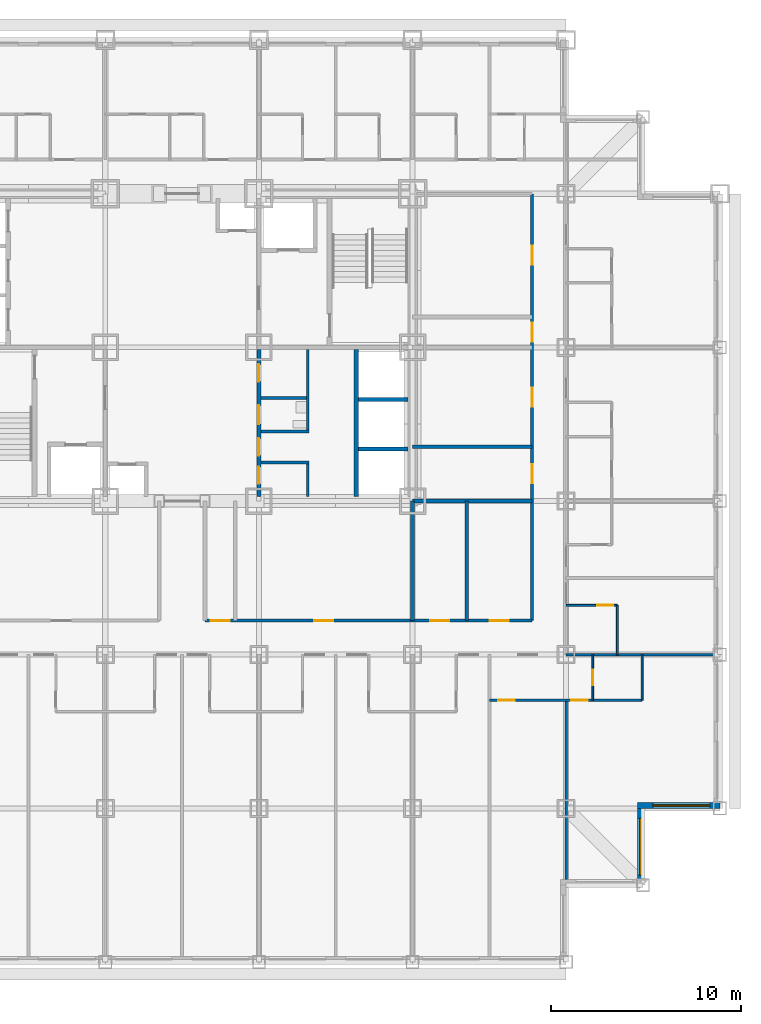
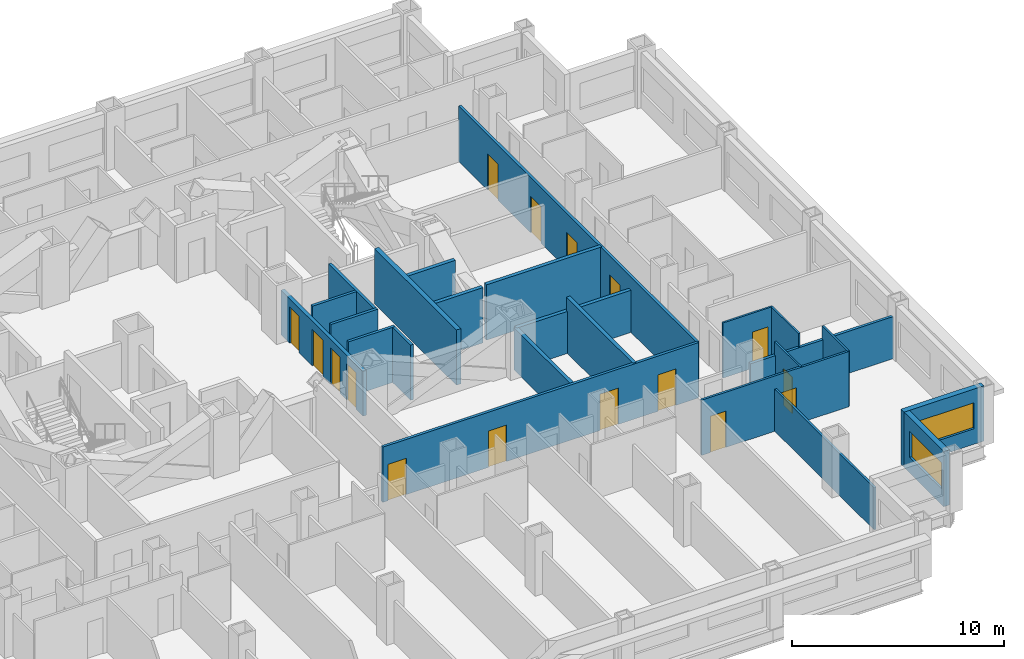
# One storey, part 6 of 12: 24 walls, 16 doors, 2 windows, 18 openings.
"""IFC4 building model written with IfcOpenShell, lengths in metres."""

from ifc_helpers import new_model, si_unit, direction, frame, frame_2d, origin, place, context, subcontext, project, spatial, rectangle, extrude, material, layer, layer_set, type_object, element, fill, save


model = new_model("IFC4")

# Units and contexts
model_context = context("Model", 3, precision=1e-05, world=origin(), true_north=direction((0.0, 1.0)))
body_context = subcontext(model_context, "Body", "Model", "MODEL_VIEW")
ifc_project = project(units=[si_unit("LENGTHUNIT", "METRE"), si_unit("AREAUNIT", "SQUARE_METRE"), si_unit("VOLUMEUNIT", "CUBIC_METRE"), si_unit("PLANEANGLEUNIT", "RADIAN"), si_unit("MASSUNIT", "GRAM", prefix="KILO")], contexts=[model_context])

# Site, building, storey
site_placement = place(None, origin())
site = spatial("IfcSite", under=ifc_project, at=site_placement, CompositionType="ELEMENT")
building_placement = place(site_placement, origin())
building = spatial("IfcBuilding", under=site, at=building_placement, Name="Kopane Lantern Tower", CompositionType="ELEMENT")
storey_placement = place(building_placement, frame((0.0, 0.0, 80.60009765625)))
storey = spatial("IfcBuildingStorey", under=building, at=storey_placement, Name="L20", CompositionType="ELEMENT", Elevation=80.60009765625)

# Wall, openings, doors
ifc_material_1 = material(Name="Gypsum board on steel studs", Category="steel")
ifc_layer_1 = layer(ifc_material_1, 0.1201171875)
ifc_layer_set_1 = layer_set([ifc_layer_1], Name="APARTMENT INTERNAL WALL 120")
wall_type_1 = type_object("IfcWallType", Name="APARTMENT INTERNAL WALL 120", PredefinedType="PARTITIONING", material=ifc_layer_set_1)
wall_1_placement = place(storey_placement, frame((44.550048828125, 13.800048828125, 0.0), z_axis=(0.0, 0.0, 1.0), x_axis=(1.0, 0.0, 0.0)))
wall_1 = element("IfcWall", 1, at=wall_1_placement, inside=storey, type_object=wall_type_1, Name="Apartment Internal Wall 120 L20", PredefinedType="PARTITIONING", context=body_context, shape_type="SweptSolid", body=[
    extrude(rectangle(XDim=8.050048828125, YDim=0.1201171875, at=frame_2d((4.02490234375, 0.0))), origin(), (0.0, 0.0, 1.0), 3.18994140625),
])
opening_1_placement = place(wall_1_placement, frame((0.47509765625, 0.0, 0.0)))
opening_1 = element("IfcOpeningElement", 2, at=opening_1_placement, cuts=wall_1, Name="Opening L20-064", PredefinedType="OPENING", context=body_context, shape_type="SweptSolid", body=[
    extrude(rectangle(XDim=0.85009765625, YDim=2.10009765625, at=frame_2d((0.425048828125, 1.050048828125))), frame((0.0, 0.070068359375, 0.0), z_axis=(0.0, -1.0, 0.0), x_axis=(1.0, 0.0, 0.0)), (0.0, 0.0, 1.0), 0.14013671875),
])
opening_2_placement = place(wall_1_placement, frame((4.324951171875, 0.0, 0.0)))
opening_2 = element("IfcOpeningElement", 3, at=opening_2_placement, cuts=wall_1, Name="Opening L20-066", PredefinedType="OPENING", context=body_context, shape_type="SweptSolid", body=[
    extrude(rectangle(XDim=0.85009765625, YDim=2.10009765625, at=frame_2d((0.425048828125, 1.050048828125))), frame((0.0, 0.070068359375, 0.0), z_axis=(0.0, -1.0, 0.0), x_axis=(1.0, 0.0, 0.0)), (0.0, 0.0, 1.0), 0.14013671875),
])
ifc_material_2 = material(Name="Timber door set", Category="wood")
door_type_1 = type_object("IfcDoorType", Name="DOOR D4 850x2100", OperationType="SINGLE_SWING_LEFT", PredefinedType="DOOR", material=ifc_material_2)
door_1_placement = place(opening_1_placement, origin())
door_1 = element("IfcDoor", 4, at=door_1_placement, inside=storey, type_object=door_type_1, Name="Door L20-064", OperationType="SINGLE_SWING_LEFT", OverallHeight=2.10009765625, OverallWidth=0.85009765625, PredefinedType="DOOR", context=body_context, shape_type="SweptSolid", body=[
    extrude(rectangle(XDim=0.85009765625, YDim=2.10009765625, at=frame_2d((0.425048828125, 1.050048828125))), frame((0.0, 0.02490234375, 0.0), z_axis=(0.0, -1.0, 0.0), x_axis=(1.0, 0.0, 0.0)), (0.0, 0.0, 1.0), 0.050048828125),
])
fill(opening_1, door_1)
door_2_placement = place(opening_2_placement, origin())
door_2 = element("IfcDoor", 5, at=door_2_placement, inside=storey, type_object=door_type_1, Name="Door L20-066", OperationType="SINGLE_SWING_RIGHT", OverallHeight=2.10009765625, OverallWidth=0.85009765625, PredefinedType="DOOR", context=body_context, shape_type="SweptSolid", body=[
    extrude(rectangle(XDim=0.85009765625, YDim=2.10009765625, at=frame_2d((0.425048828125, 1.050048828125))), frame((0.0, 0.02490234375, 0.0), z_axis=(0.0, -1.0, 0.0), x_axis=(1.0, 0.0, 0.0)), (0.0, 0.0, 1.0), 0.050048828125),
])
fill(opening_2, door_2)

# Walls
wall_2_placement = place(storey_placement, frame((48.60009765625, 13.800048828125, 0.0), z_axis=(0.0, 0.0, 1.0), x_axis=(0.0, -1.0, 0.0)))
element("IfcWall", 6, at=wall_2_placement, inside=storey, type_object=wall_type_1, Name="Apartment Internal Wall 120 L20", PredefinedType="PARTITIONING", context=body_context, shape_type="SweptSolid", body=[
    extrude(rectangle(XDim=9.449951171875, YDim=0.1201171875, at=frame_2d((4.72509765625, 0.0))), origin(), (0.0, 0.0, 1.0), 2.427734375),
])
ifc_material_3 = material(Name="Moisture-resistant board on steel studs", Category="steel")
ifc_layer_2 = layer(ifc_material_3, 0.10009765625)
ifc_layer_set_2 = layer_set([ifc_layer_2], Name="BATHROOM WALL 100")
wall_type_2 = type_object("IfcWallType", Name="BATHROOM WALL 100", PredefinedType="PARTITIONING", material=ifc_layer_set_2)
wall_3_placement = place(storey_placement, frame((51.300048828125, 16.199951171875, 0.0), z_axis=(0.0, 0.0, 1.0), x_axis=(0.0, 1.0, 0.0)))
element("IfcWall", 7, at=wall_3_placement, inside=storey, type_object=wall_type_2, Name="Bathroom Wall 100 L20", PredefinedType="PARTITIONING", context=body_context, shape_type="SweptSolid", body=[
    extrude(rectangle(XDim=2.60009765625, YDim=0.10009765625, at=frame_2d((1.300048828125, 0.0))), origin(), (0.0, 0.0, 1.0), 3.18994140625),
])

# Wall, opening, door
wall_4_placement = place(storey_placement, frame((48.60009765625, 18.800048828125, 0.0), z_axis=(0.0, 0.0, 1.0), x_axis=(1.0, 0.0, 0.0)))
wall_4 = element("IfcWall", 8, at=wall_4_placement, inside=storey, type_object=wall_type_2, Name="Bathroom Wall 100 L20", PredefinedType="PARTITIONING", context=body_context, shape_type="SweptSolid", body=[
    extrude(rectangle(XDim=2.699951171875, YDim=0.10009765625, at=frame_2d((1.35009765625, 0.0))), origin(), (0.0, 0.0, 1.0), 3.18994140625),
])
opening_3_placement = place(wall_4_placement, frame((1.625, 0.0, 0.0)))
opening_3 = element("IfcOpeningElement", 9, at=opening_3_placement, cuts=wall_4, Name="Opening L20-049", PredefinedType="OPENING", context=body_context, shape_type="SweptSolid", body=[
    extrude(rectangle(XDim=0.85009765625, YDim=2.10009765625, at=frame_2d((0.425048828125, 1.050048828125))), frame((0.0, 0.06005859375, 0.0), z_axis=(0.0, -1.0, 0.0), x_axis=(1.0, 0.0, 0.0)), (0.0, 0.0, 1.0), 0.1201171875),
])
door_3_placement = place(opening_3_placement, origin())
door_3 = element("IfcDoor", 10, at=door_3_placement, inside=storey, type_object=door_type_1, Name="Door L20-049", OperationType="SINGLE_SWING_LEFT", OverallHeight=2.10009765625, OverallWidth=0.85009765625, PredefinedType="DOOR", context=body_context, shape_type="SweptSolid", body=[
    extrude(rectangle(XDim=0.85009765625, YDim=2.10009765625, at=frame_2d((0.425048828125, 1.050048828125))), frame((0.0, 0.02490234375, 0.0), z_axis=(0.0, -1.0, 0.0), x_axis=(1.0, 0.0, 0.0)), (0.0, 0.0, 1.0), 0.050048828125),
])
fill(opening_3, door_3)

wall_5_placement = place(storey_placement, frame((50.0, 16.199951171875, 0.0), z_axis=(0.0, 0.0, 1.0), x_axis=(0.0, -1.0, 0.0)))
wall_5 = element("IfcWall", 11, at=wall_5_placement, inside=storey, type_object=wall_type_2, Name="Bathroom Wall 100 L20", PredefinedType="PARTITIONING", context=body_context, shape_type="SweptSolid", body=[
    extrude(rectangle(XDim=2.39990234375, YDim=0.10009765625, at=frame_2d((1.199951171875, 0.0))), origin(), (0.0, 0.0, 1.0), 3.18994140625),
])
opening_4_placement = place(wall_5_placement, frame((0.800048828125, 0.0, 0.0)))
opening_4 = element("IfcOpeningElement", 12, at=opening_4_placement, cuts=wall_5, Name="Opening L20-065", PredefinedType="OPENING", context=body_context, shape_type="SweptSolid", body=[
    extrude(rectangle(XDim=0.800048828125, YDim=2.10009765625, at=frame_2d((0.39990234375, 1.050048828125))), frame((0.0, 0.06005859375, 0.0), z_axis=(0.0, -1.0, 0.0), x_axis=(1.0, 0.0, 0.0)), (0.0, 0.0, 1.0), 0.1201171875),
])
ifc_material_4 = material(Name="Timber door set", Category="wood")
door_type_2 = type_object("IfcDoorType", Name="DOOR D2 800x2100", OperationType="SINGLE_SWING_LEFT", PredefinedType="DOOR", material=ifc_material_4)
door_4_placement = place(opening_4_placement, origin())
door_4 = element("IfcDoor", 13, at=door_4_placement, inside=storey, type_object=door_type_2, Name="Door L20-065", OperationType="SINGLE_SWING_LEFT", OverallHeight=2.10009765625, OverallWidth=0.800048828125, PredefinedType="DOOR", context=body_context, shape_type="SweptSolid", body=[
    extrude(rectangle(XDim=0.800048828125, YDim=2.10009765625, at=frame_2d((0.39990234375, 1.050048828125))), frame((0.0, 0.02490234375, 0.0), z_axis=(0.0, -1.0, 0.0), x_axis=(1.0, 0.0, 0.0)), (0.0, 0.0, 1.0), 0.050048828125),
])
fill(opening_4, door_4)

# Walls
wall_6_placement = place(storey_placement, frame((52.60009765625, 16.199951171875, 0.0), z_axis=(0.0, 0.0, 1.0), x_axis=(0.0, -1.0, 0.0)))
element("IfcWall", 14, at=wall_6_placement, inside=storey, type_object=wall_type_2, Name="Bathroom Wall 100 L20", PredefinedType="PARTITIONING", context=body_context, shape_type="SweptSolid", body=[
    extrude(rectangle(XDim=2.39990234375, YDim=0.10009765625, at=frame_2d((1.199951171875, 0.0))), origin(), (0.0, 0.0, 1.0), 3.18994140625),
])
ifc_material_5 = material(Name="Gypsum partition EI 60", Category="gypsum")
ifc_layer_3 = layer(ifc_material_5, 0.14990234375)
ifc_layer_set_3 = layer_set([ifc_layer_3], Name="CORE ROOM PARTITION 150 EI 60")
wall_type_3 = type_object("IfcWallType", Name="CORE ROOM PARTITION 150 EI 60", PredefinedType="PARTITIONING", material=ifc_layer_set_3)
for number, where, z_axis, x_axis, name in (
    (15, (32.5, 26.324951171875, 0.0), (0.0, 0.0, 1.0), (1.0, 0.0, 0.0), "Core room partition L20 E1"),
    (16, (32.5, 27.97509765625, 0.0), (0.0, 0.0, 1.0), (1.0, 0.0, 0.0), "Core room partition L20 E2"),
):
    element("IfcWall", number, at=place(storey_placement, frame(where, z_axis=z_axis, x_axis=x_axis)), inside=storey, type_object=wall_type_3, Name=name, PredefinedType="PARTITIONING", context=body_context, shape_type="SweptSolid", body=[
        extrude(rectangle(XDim=2.550048828125, YDim=0.14990234375, at=frame_2d((1.27490234375, 0.0))), origin(), (0.0, 0.0, 1.0), 3.18994140625),
    ])
wall_7_placement = place(storey_placement, frame((32.5, 29.72509765625, 0.0), z_axis=(0.0, 0.0, 1.0), x_axis=(1.0, 0.0, 0.0)))
element("IfcWall", 17, at=wall_7_placement, inside=storey, type_object=wall_type_3, Name="Core room partition L20 E3", PredefinedType="PARTITIONING", context=body_context, shape_type="SweptSolid", body=[
    extrude(rectangle(XDim=2.39990234375, YDim=0.14990234375, at=frame_2d((1.199951171875, 0.0))), origin(), (0.0, 0.0, 1.0), 3.18994140625),
])
wall_8_placement = place(storey_placement, frame((34.97509765625, 24.550048828125, 0.0), z_axis=(0.0, 0.0, 1.0), x_axis=(0.0, 1.0, 0.0)))
element("IfcWall", 18, at=wall_8_placement, inside=storey, type_object=wall_type_3, Name="Core room partition L20 EB0", PredefinedType="PARTITIONING", context=body_context, shape_type="SweptSolid", body=[
    extrude(rectangle(XDim=1.699951171875, YDim=0.14990234375, at=frame_2d((0.85009765625, 0.0))), origin(), (0.0, 0.0, 1.0), 3.18994140625),
])
wall_9_placement = place(storey_placement, frame((34.97509765625, 28.050048828125, 0.0), z_axis=(0.0, 0.0, 1.0), x_axis=(0.0, 1.0, 0.0)))
element("IfcWall", 19, at=wall_9_placement, inside=storey, type_object=wall_type_3, Name="Core room partition L20 EB1", PredefinedType="PARTITIONING", context=body_context, shape_type="SweptSolid", body=[
    extrude(rectangle(XDim=4.25, YDim=0.14990234375, at=frame_2d((2.125, 0.0))), origin(), (0.0, 0.0, 1.0), 3.18994140625),
])

# Wall, openings, doors
ifc_material_6 = material(Name="Gypsum partition EI 60", Category="gypsum")
ifc_layer_4 = layer(ifc_material_6, 0.199951171875)
ifc_layer_set_4 = layer_set([ifc_layer_4], Name="CORE ROOM WALL 200 EI 60")
wall_type_4 = type_object("IfcWallType", Name="CORE ROOM WALL 200 EI 60", PredefinedType="PARTITIONING", material=ifc_layer_set_4)
wall_10_placement = place(storey_placement, frame((32.39990234375, 24.550048828125, 0.0), z_axis=(0.0, 0.0, 1.0), x_axis=(0.0, 1.0, 0.0)))
wall_10 = element("IfcWall", 20, at=wall_10_placement, inside=storey, type_object=wall_type_4, Name="Core room wall L20 XE", PredefinedType="PARTITIONING", context=body_context, shape_type="SweptSolid", body=[
    extrude(rectangle(XDim=7.75, YDim=0.199951171875, at=frame_2d((3.875, 0.0))), origin(), (0.0, 0.0, 1.0), 2.57763671875),
])
opening_5_placement = place(wall_10_placement, frame((0.64990234375, 0.0, 0.0)))
opening_5 = element("IfcOpeningElement", 21, at=opening_5_placement, cuts=wall_10, Name="Opening 20.C20", PredefinedType="OPENING", context=body_context, shape_type="SweptSolid", body=[
    extrude(rectangle(XDim=0.89990234375, YDim=2.10009765625, at=frame_2d((0.449951171875, 1.050048828125))), frame((0.0, 0.10986328125, 0.0), z_axis=(0.0, -1.0, 0.0), x_axis=(1.0, 0.0, 0.0)), (0.0, 0.0, 1.0), 0.219970703125),
])
opening_6_placement = place(wall_10_placement, frame((2.14990234375, 0.0, 0.0)))
opening_6 = element("IfcOpeningElement", 22, at=opening_6_placement, cuts=wall_10, Name="Opening 20.C21", PredefinedType="OPENING", context=body_context, shape_type="SweptSolid", body=[
    extrude(rectangle(XDim=0.89990234375, YDim=2.10009765625, at=frame_2d((0.449951171875, 1.050048828125))), frame((0.0, 0.10986328125, 0.0), z_axis=(0.0, -1.0, 0.0), x_axis=(1.0, 0.0, 0.0)), (0.0, 0.0, 1.0), 0.219970703125),
])
opening_7_placement = place(wall_10_placement, frame((3.800048828125, 0.0, 0.0)))
opening_7 = element("IfcOpeningElement", 23, at=opening_7_placement, cuts=wall_10, Name="Opening 20.C22", PredefinedType="OPENING", context=body_context, shape_type="SweptSolid", body=[
    extrude(rectangle(XDim=1.0, YDim=2.10009765625, at=frame_2d((0.5, 1.050048828125))), frame((0.0, 0.10986328125, 0.0), z_axis=(0.0, -1.0, 0.0), x_axis=(1.0, 0.0, 0.0)), (0.0, 0.0, 1.0), 0.219970703125),
])
opening_8_placement = place(wall_10_placement, frame((6.050048828125, 0.0, 0.0)))
opening_8 = element("IfcOpeningElement", 24, at=opening_8_placement, cuts=wall_10, Name="Opening 20.C23", PredefinedType="OPENING", context=body_context, shape_type="SweptSolid", body=[
    extrude(rectangle(XDim=0.89990234375, YDim=2.10009765625, at=frame_2d((0.449951171875, 1.050048828125))), frame((0.0, 0.10986328125, 0.0), z_axis=(0.0, -1.0, 0.0), x_axis=(1.0, 0.0, 0.0)), (0.0, 0.0, 1.0), 0.219970703125),
])
ifc_material_7 = material(Name="Steel door set", Category="steel")
door_type_3 = type_object("IfcDoorType", Name="CORE ROOM DOOR 1000x2100 FD30S", OperationType="SINGLE_SWING_RIGHT", PredefinedType="DOOR", material=ifc_material_7)
door_5_placement = place(opening_7_placement, origin())
door_5 = element("IfcDoor", 25, at=door_5_placement, inside=storey, type_object=door_type_3, Name="Door Staff WC L20", OperationType="SINGLE_SWING_RIGHT", OverallHeight=2.10009765625, OverallWidth=1.0, PredefinedType="DOOR", context=body_context, shape_type="SweptSolid", body=[
    extrude(rectangle(XDim=1.0, YDim=2.10009765625, at=frame_2d((0.5, 1.050048828125))), frame((0.0, 0.02490234375, 0.0), z_axis=(0.0, -1.0, 0.0), x_axis=(1.0, 0.0, 0.0)), (0.0, 0.0, 1.0), 0.050048828125),
])
fill(opening_7, door_5)
ifc_material_8 = material(Name="Steel door set", Category="steel")
door_type_4 = type_object("IfcDoorType", Name="CORE ROOM DOOR 900x2100 FD60", OperationType="SINGLE_SWING_LEFT", PredefinedType="DOOR", material=ifc_material_8)
door_6_placement = place(opening_5_placement, origin())
door_6 = element("IfcDoor", 26, at=door_6_placement, inside=storey, type_object=door_type_4, Name="Door Cleaner store L20", OperationType="SINGLE_SWING_LEFT", OverallHeight=2.10009765625, OverallWidth=0.89990234375, PredefinedType="DOOR", context=body_context, shape_type="SweptSolid", body=[
    extrude(rectangle(XDim=0.89990234375, YDim=2.10009765625, at=frame_2d((0.449951171875, 1.050048828125))), frame((0.0, 0.02490234375, 0.0), z_axis=(0.0, -1.0, 0.0), x_axis=(1.0, 0.0, 0.0)), (0.0, 0.0, 1.0), 0.050048828125),
])
fill(opening_5, door_6)
door_7_placement = place(opening_6_placement, origin())
door_7 = element("IfcDoor", 27, at=door_7_placement, inside=storey, type_object=door_type_4, Name="Door Housekeeping store L20", OperationType="SINGLE_SWING_LEFT", OverallHeight=2.10009765625, OverallWidth=0.89990234375, PredefinedType="DOOR", context=body_context, shape_type="SweptSolid", body=[
    extrude(rectangle(XDim=0.89990234375, YDim=2.10009765625, at=frame_2d((0.449951171875, 1.050048828125))), frame((0.0, 0.02490234375, 0.0), z_axis=(0.0, -1.0, 0.0), x_axis=(1.0, 0.0, 0.0)), (0.0, 0.0, 1.0), 0.050048828125),
])
fill(opening_6, door_7)
door_8_placement = place(opening_8_placement, origin())
door_8 = element("IfcDoor", 28, at=door_8_placement, inside=storey, type_object=door_type_4, Name="Door IT room L20", OperationType="SINGLE_SWING_LEFT", OverallHeight=2.10009765625, OverallWidth=0.89990234375, PredefinedType="DOOR", context=body_context, shape_type="SweptSolid", body=[
    extrude(rectangle(XDim=0.89990234375, YDim=2.10009765625, at=frame_2d((0.449951171875, 1.050048828125))), frame((0.0, 0.02490234375, 0.0), z_axis=(0.0, -1.0, 0.0), x_axis=(1.0, 0.0, 0.0)), (0.0, 0.0, 1.0), 0.050048828125),
])
fill(opening_8, door_8)

# Wall
ifc_material_9 = material(Name="Gypsum shaft wall EI 120", Category="gypsum")
ifc_layer_5 = layer(ifc_material_9, 0.25)
ifc_layer_set_5 = layer_set([ifc_layer_5], Name="CORE SHAFT WALL 250 EI 120")
wall_type_5 = type_object("IfcWallType", Name="CORE SHAFT WALL 250 EI 120", PredefinedType="SOLIDWALL", material=ifc_layer_set_5)
wall_11_placement = place(storey_placement, frame((37.52490234375, 24.550048828125, 0.0), z_axis=(0.0, 0.0, 1.0), x_axis=(0.0, 1.0, 0.0)))
element("IfcWall", 29, at=wall_11_placement, inside=storey, type_object=wall_type_5, Name="Core shaft wall L20 XLR", PredefinedType="SOLIDWALL", context=body_context, shape_type="SweptSolid", body=[
    extrude(rectangle(XDim=7.75, YDim=0.25, at=frame_2d((3.875, 0.0))), origin(), (0.0, 0.0, 1.0), 3.18994140625),
])

# Wall, openings, doors
ifc_material_10 = material(Name="Gypsum board on steel studs", Category="steel")
ifc_layer_6 = layer(ifc_material_10, 0.14990234375)
ifc_layer_set_6 = layer_set([ifc_layer_6], Name="CORRIDOR WALL 150 EI 60")
wall_type_6 = type_object("IfcWallType", Name="CORRIDOR WALL 150 EI 60", PredefinedType="PARTITIONING", material=ifc_layer_set_6)
wall_12_placement = place(storey_placement, frame((46.800048828125, 18.0, 0.0), z_axis=(0.0, 0.0, 1.0), x_axis=(0.0, 1.0, 0.0)))
wall_12 = element("IfcWall", 30, at=wall_12_placement, inside=storey, type_object=wall_type_6, Name="Corridor Wall 150 Ei 60 L20", PredefinedType="PARTITIONING", context=body_context, shape_type="SweptSolid", body=[
    extrude(rectangle(XDim=22.5, YDim=0.14990234375, at=frame_2d((11.25, 0.0))), origin(), (0.0, 0.0, 1.0), 3.18994140625),
])
opening_9_placement = place(wall_12_placement, frame((7.228515625, 0.0, 0.0)))
opening_9 = element("IfcOpeningElement", 31, at=opening_9_placement, cuts=wall_12, Name="Opening L20-003", PredefinedType="OPENING", context=body_context, shape_type="SweptSolid", body=[
    extrude(rectangle(XDim=1.0, YDim=2.10009765625, at=frame_2d((0.5, 1.050048828125))), frame((0.0, 0.0849609375, 0.0), z_axis=(0.0, -1.0, 0.0), x_axis=(1.0, 0.0, 0.0)), (0.0, 0.0, 1.0), 0.169921875),
])
opening_10_placement = place(wall_12_placement, frame((11.278564453125, 0.0, 0.0)))
opening_10 = element("IfcOpeningElement", 32, at=opening_10_placement, cuts=wall_12, Name="Opening L20-004", PredefinedType="OPENING", context=body_context, shape_type="SweptSolid", body=[
    extrude(rectangle(XDim=1.0, YDim=2.10009765625, at=frame_2d((0.5, 1.050048828125))), frame((0.0, 0.0849609375, 0.0), z_axis=(0.0, -1.0, 0.0), x_axis=(1.0, 0.0, 0.0)), (0.0, 0.0, 1.0), 0.169921875),
])
opening_11_placement = place(wall_12_placement, frame((14.699951171875, 0.0, 0.0)))
opening_11 = element("IfcOpeningElement", 33, at=opening_11_placement, cuts=wall_12, Name="Opening L20-005", PredefinedType="OPENING", context=body_context, shape_type="SweptSolid", body=[
    extrude(rectangle(XDim=1.0, YDim=2.10009765625, at=frame_2d((0.5, 1.050048828125))), frame((0.0, 0.0849609375, 0.0), z_axis=(0.0, -1.0, 0.0), x_axis=(1.0, 0.0, 0.0)), (0.0, 0.0, 1.0), 0.169921875),
])
opening_12_placement = place(wall_12_placement, frame((18.75, 0.0, 0.0)))
opening_12 = element("IfcOpeningElement", 34, at=opening_12_placement, cuts=wall_12, Name="Opening L20-006", PredefinedType="OPENING", context=body_context, shape_type="SweptSolid", body=[
    extrude(rectangle(XDim=1.0, YDim=2.10009765625, at=frame_2d((0.5, 1.050048828125))), frame((0.0, 0.0849609375, 0.0), z_axis=(0.0, -1.0, 0.0), x_axis=(1.0, 0.0, 0.0)), (0.0, 0.0, 1.0), 0.169921875),
])
ifc_material_11 = material(Name="Steel door set", Category="steel")
door_type_5 = type_object("IfcDoorType", Name="DOOR D5 1000x2100 FD60", OperationType="SINGLE_SWING_LEFT", PredefinedType="DOOR", material=ifc_material_11)
door_9_placement = place(opening_9_placement, origin())
door_9 = element("IfcDoor", 35, at=door_9_placement, inside=storey, type_object=door_type_5, Name="Door L20-003", OperationType="SINGLE_SWING_LEFT", OverallHeight=2.10009765625, OverallWidth=1.0, PredefinedType="DOOR", context=body_context, shape_type="SweptSolid", body=[
    extrude(rectangle(XDim=1.0, YDim=2.10009765625, at=frame_2d((0.5, 1.050048828125))), frame((0.0, 0.02490234375, 0.0), z_axis=(0.0, -1.0, 0.0), x_axis=(1.0, 0.0, 0.0)), (0.0, 0.0, 1.0), 0.050048828125),
])
fill(opening_9, door_9)
door_10_placement = place(opening_10_placement, origin())
door_10 = element("IfcDoor", 36, at=door_10_placement, inside=storey, type_object=door_type_5, Name="Door L20-004", OperationType="SINGLE_SWING_RIGHT", OverallHeight=2.10009765625, OverallWidth=1.0, PredefinedType="DOOR", context=body_context, shape_type="SweptSolid", body=[
    extrude(rectangle(XDim=1.0, YDim=2.10009765625, at=frame_2d((0.5, 1.050048828125))), frame((0.0, 0.02490234375, 0.0), z_axis=(0.0, -1.0, 0.0), x_axis=(1.0, 0.0, 0.0)), (0.0, 0.0, 1.0), 0.050048828125),
])
fill(opening_10, door_10)
door_11_placement = place(opening_11_placement, origin())
door_11 = element("IfcDoor", 37, at=door_11_placement, inside=storey, type_object=door_type_5, Name="Door L20-005", OperationType="SINGLE_SWING_LEFT", OverallHeight=2.10009765625, OverallWidth=1.0, PredefinedType="DOOR", context=body_context, shape_type="SweptSolid", body=[
    extrude(rectangle(XDim=1.0, YDim=2.10009765625, at=frame_2d((0.5, 1.050048828125))), frame((0.0, 0.02490234375, 0.0), z_axis=(0.0, -1.0, 0.0), x_axis=(1.0, 0.0, 0.0)), (0.0, 0.0, 1.0), 0.050048828125),
])
fill(opening_11, door_11)
door_12_placement = place(opening_12_placement, origin())
door_12 = element("IfcDoor", 38, at=door_12_placement, inside=storey, type_object=door_type_5, Name="Door L20-006", OperationType="SINGLE_SWING_RIGHT", OverallHeight=2.10009765625, OverallWidth=1.0, PredefinedType="DOOR", context=body_context, shape_type="SweptSolid", body=[
    extrude(rectangle(XDim=1.0, YDim=2.10009765625, at=frame_2d((0.5, 1.050048828125))), frame((0.0, 0.02490234375, 0.0), z_axis=(0.0, -1.0, 0.0), x_axis=(1.0, 0.0, 0.0)), (0.0, 0.0, 1.0), 0.050048828125),
])
fill(opening_12, door_12)

wall_13_placement = place(storey_placement, frame((29.56005859375, 18.0, 0.0), z_axis=(0.0, 0.0, 1.0), x_axis=(1.0, 0.0, 0.0)))
wall_13 = element("IfcWall", 39, at=wall_13_placement, inside=storey, type_object=wall_type_6, Name="Corridor Wall 150 Ei 60 L20", PredefinedType="PARTITIONING", context=body_context, shape_type="SweptSolid", body=[
    extrude(rectangle(XDim=17.239990234375, YDim=0.14990234375, at=frame_2d((8.6201171875, 0.0))), origin(), (0.0, 0.0, 1.0), 3.18994140625),
])
opening_13_placement = place(wall_13_placement, frame((0.2900390625, 0.0, 0.0)))
opening_13 = element("IfcOpeningElement", 40, at=opening_13_placement, cuts=wall_13, Name="Opening L20-009", PredefinedType="OPENING", context=body_context, shape_type="SweptSolid", body=[
    extrude(rectangle(XDim=1.0, YDim=2.10009765625, at=frame_2d((0.5, 1.050048828125))), frame((0.0, 0.0849609375, 0.0), z_axis=(0.0, -1.0, 0.0), x_axis=(1.0, 0.0, 0.0)), (0.0, 0.0, 1.0), 0.169921875),
])
opening_14_placement = place(wall_13_placement, frame((5.764892578125, 0.0, 0.0)))
opening_14 = element("IfcOpeningElement", 41, at=opening_14_placement, cuts=wall_13, Name="Opening L20-010", PredefinedType="OPENING", context=body_context, shape_type="SweptSolid", body=[
    extrude(rectangle(XDim=1.0, YDim=2.10009765625, at=frame_2d((0.5, 1.050048828125))), frame((0.0, 0.0849609375, 0.0), z_axis=(0.0, -1.0, 0.0), x_axis=(1.0, 0.0, 0.0)), (0.0, 0.0, 1.0), 0.169921875),
])
opening_15_placement = place(wall_13_placement, frame((11.86865234375, 0.0, 0.0)))
opening_15 = element("IfcOpeningElement", 42, at=opening_15_placement, cuts=wall_13, Name="Opening L20-011", PredefinedType="OPENING", context=body_context, shape_type="SweptSolid", body=[
    extrude(rectangle(XDim=1.0, YDim=2.10009765625, at=frame_2d((0.5, 1.050048828125))), frame((0.0, 0.0849609375, 0.0), z_axis=(0.0, -1.0, 0.0), x_axis=(1.0, 0.0, 0.0)), (0.0, 0.0, 1.0), 0.169921875),
])
opening_16_placement = place(wall_13_placement, frame((15.0185546875, 0.0, 0.0)))
opening_16 = element("IfcOpeningElement", 43, at=opening_16_placement, cuts=wall_13, Name="Opening L20-012", PredefinedType="OPENING", context=body_context, shape_type="SweptSolid", body=[
    extrude(rectangle(XDim=1.0, YDim=2.10009765625, at=frame_2d((0.5, 1.050048828125))), frame((0.0, 0.0849609375, 0.0), z_axis=(0.0, -1.0, 0.0), x_axis=(1.0, 0.0, 0.0)), (0.0, 0.0, 1.0), 0.169921875),
])
door_13_placement = place(opening_13_placement, origin())
door_13 = element("IfcDoor", 44, at=door_13_placement, inside=storey, type_object=door_type_5, Name="Door L20-009", OperationType="SINGLE_SWING_LEFT", OverallHeight=2.10009765625, OverallWidth=1.0, PredefinedType="DOOR", context=body_context, shape_type="SweptSolid", body=[
    extrude(rectangle(XDim=1.0, YDim=2.10009765625, at=frame_2d((0.5, 1.050048828125))), frame((0.0, 0.02490234375, 0.0), z_axis=(0.0, -1.0, 0.0), x_axis=(1.0, 0.0, 0.0)), (0.0, 0.0, 1.0), 0.050048828125),
])
fill(opening_13, door_13)
door_14_placement = place(opening_14_placement, origin())
door_14 = element("IfcDoor", 45, at=door_14_placement, inside=storey, type_object=door_type_5, Name="Door L20-010", OperationType="SINGLE_SWING_RIGHT", OverallHeight=2.10009765625, OverallWidth=1.0, PredefinedType="DOOR", context=body_context, shape_type="SweptSolid", body=[
    extrude(rectangle(XDim=1.0, YDim=2.10009765625, at=frame_2d((0.5, 1.050048828125))), frame((0.0, 0.02490234375, 0.0), z_axis=(0.0, -1.0, 0.0), x_axis=(1.0, 0.0, 0.0)), (0.0, 0.0, 1.0), 0.050048828125),
])
fill(opening_14, door_14)
door_15_placement = place(opening_15_placement, origin())
door_15 = element("IfcDoor", 46, at=door_15_placement, inside=storey, type_object=door_type_5, Name="Door L20-011", OperationType="SINGLE_SWING_LEFT", OverallHeight=2.10009765625, OverallWidth=1.0, PredefinedType="DOOR", context=body_context, shape_type="SweptSolid", body=[
    extrude(rectangle(XDim=1.0, YDim=2.10009765625, at=frame_2d((0.5, 1.050048828125))), frame((0.0, 0.02490234375, 0.0), z_axis=(0.0, -1.0, 0.0), x_axis=(1.0, 0.0, 0.0)), (0.0, 0.0, 1.0), 0.050048828125),
])
fill(opening_15, door_15)
door_16_placement = place(opening_16_placement, origin())
door_16 = element("IfcDoor", 47, at=door_16_placement, inside=storey, type_object=door_type_5, Name="Door L20-012", OperationType="SINGLE_SWING_RIGHT", OverallHeight=2.10009765625, OverallWidth=1.0, PredefinedType="DOOR", context=body_context, shape_type="SweptSolid", body=[
    extrude(rectangle(XDim=1.0, YDim=2.10009765625, at=frame_2d((0.5, 1.050048828125))), frame((0.0, 0.02490234375, 0.0), z_axis=(0.0, -1.0, 0.0), x_axis=(1.0, 0.0, 0.0)), (0.0, 0.0, 1.0), 0.050048828125),
])
fill(opening_16, door_16)

# Wall
ifc_material_12 = material(Name="Gypsum board on steel studs", Category="steel")
ifc_layer_7 = layer(ifc_material_12, 0.14990234375)
ifc_layer_set_7 = layer_set([ifc_layer_7], Name="DEMISING WALL 150 EI 60")
wall_type_7 = type_object("IfcWallType", Name="DEMISING WALL 150 EI 60", PredefinedType="PARTITIONING", material=ifc_layer_set_7)
wall_14_placement = place(storey_placement, frame((48.60009765625, 16.199951171875, 0.0), z_axis=(0.0, 0.0, 1.0), x_axis=(1.0, 0.0, 0.0)))
element("IfcWall", 48, at=wall_14_placement, inside=storey, type_object=wall_type_7, Name="Demising Wall 150 Ei 60 L20", PredefinedType="PARTITIONING", context=body_context, shape_type="SweptSolid", body=[
    extrude(rectangle(XDim=7.7998046875, YDim=0.14990234375, at=frame_2d((3.89990234375, 0.0))), origin(), (0.0, 0.0, 1.0), 2.427734375),
])

# Wall, opening, window
ifc_material_13 = material(Name="Terracotta rainscreen on light steel framing", Category="masonry")
ifc_layer_8 = layer(ifc_material_13, 0.300048828125)
ifc_layer_set_8 = layer_set([ifc_layer_8], Name="EXTERNAL WALL EW1 300 TERRACOTTA")
wall_type_8 = type_object("IfcWallType", Name="EXTERNAL WALL EW1 300 TERRACOTTA", PredefinedType="SOLIDWALL", material=ifc_layer_set_8)
wall_15_placement = place(storey_placement, frame((52.5, 4.35009765625, 0.0), z_axis=(0.0, 0.0, 1.0), x_axis=(0.0, 1.0, 0.0)))
wall_15 = element("IfcWall", 49, at=wall_15_placement, inside=storey, type_object=wall_type_8, Name="External wall E L20", PredefinedType="SOLIDWALL", context=body_context, shape_type="SweptSolid", body=[
    extrude(rectangle(XDim=3.75, YDim=0.300048828125, at=frame_2d((1.875, 0.0))), origin(), (0.0, 0.0, 1.0), 3.18994140625),
])
opening_17_placement = place(wall_15_placement, frame((0.22509765625, 0.0, 0.89990234375)))
opening_17 = element("IfcOpeningElement", 50, at=opening_17_placement, cuts=wall_15, Name="Opening WR300150", PredefinedType="OPENING", context=body_context, shape_type="SweptSolid", body=[
    extrude(rectangle(XDim=3.0, YDim=1.5, at=frame_2d((1.5, 0.75))), frame((0.0, 0.159912109375, 0.0), z_axis=(0.0, -1.0, 0.0), x_axis=(1.0, 0.0, 0.0)), (0.0, 0.0, 1.0), 0.320068359375),
])
ifc_material_14 = material(Name="Aluminium and clear glass", Category="aluminium")
window_type = type_object("IfcWindowType", Name="RIBBON WINDOW WR300150 3000x1500", PartitioningType="SINGLE_PANEL", PredefinedType="WINDOW", material=ifc_material_14)
window_1_placement = place(opening_17_placement, origin())
window_1 = element("IfcWindow", 51, at=window_1_placement, inside=storey, type_object=window_type, Name="Window E L20", OverallHeight=1.5, OverallWidth=3.0, PartitioningType="SINGLE_PANEL", PredefinedType="WINDOW", context=body_context, shape_type="SweptSolid", body=[
    extrude(rectangle(XDim=3.0, YDim=1.5, at=frame_2d((1.5, 0.75))), frame((0.0, 0.030029296875, 0.0), z_axis=(0.0, -1.0, 0.0), x_axis=(1.0, 0.0, 0.0)), (0.0, 0.0, 1.0), 0.06005859375),
])
fill(opening_17, window_1)

wall_16_placement = place(storey_placement, frame((52.35009765625, 8.25, 0.0), z_axis=(0.0, 0.0, 1.0), x_axis=(1.0, 0.0, 0.0)))
wall_16 = element("IfcWall", 52, at=wall_16_placement, inside=storey, type_object=wall_type_8, Name="External wall S L20", PredefinedType="SOLIDWALL", context=body_context, shape_type="SweptSolid", body=[
    extrude(rectangle(XDim=4.349853515625, YDim=0.300048828125, at=frame_2d((2.1748046875, 0.0))), origin(), (0.0, 0.0, 1.0), 3.18994140625),
])
opening_18_placement = place(wall_16_placement, frame((0.824951171875, 0.0, 0.89990234375)))
opening_18 = element("IfcOpeningElement", 53, at=opening_18_placement, cuts=wall_16, Name="Opening WR300150", PredefinedType="OPENING", context=body_context, shape_type="SweptSolid", body=[
    extrude(rectangle(XDim=3.0, YDim=1.5, at=frame_2d((1.5, 0.75))), frame((0.0, 0.159912109375, 0.0), z_axis=(0.0, -1.0, 0.0), x_axis=(1.0, 0.0, 0.0)), (0.0, 0.0, 1.0), 0.320068359375),
])
window_2_placement = place(opening_18_placement, origin())
window_2 = element("IfcWindow", 54, at=window_2_placement, inside=storey, type_object=window_type, Name="Window S L20", OverallHeight=1.5, OverallWidth=3.0, PartitioningType="SINGLE_PANEL", PredefinedType="WINDOW", context=body_context, shape_type="SweptSolid", body=[
    extrude(rectangle(XDim=3.0, YDim=1.5, at=frame_2d((1.5, 0.75))), frame((0.0, 0.030029296875, 0.0), z_axis=(0.0, -1.0, 0.0), x_axis=(1.0, 0.0, 0.0)), (0.0, 0.0, 1.0), 0.06005859375),
])
fill(opening_18, window_2)

# Walls
ifc_material_15 = material(Name="Concrete masonry", Category="masonry")
ifc_layer_9 = layer(ifc_material_15, 0.199951171875)
ifc_layer_set_9 = layer_set([ifc_layer_9], Name="PLANT ROOM WALL 200 EI 120")
wall_type_9 = type_object("IfcWallType", Name="PLANT ROOM WALL 200 EI 120", PredefinedType="SOLIDWALL", material=ifc_layer_set_9)
wall_17_placement = place(storey_placement, frame((46.800048828125, 27.156982421875, 0.0), z_axis=(0.0, 0.0, 1.0), x_axis=(-1.0, 0.0, 0.0)))
element("IfcWall", 55, at=wall_17_placement, inside=storey, type_object=wall_type_9, Name="Plant Room Wall 200 Ei 120 L20", PredefinedType="SOLIDWALL", context=body_context, shape_type="SweptSolid", body=[
    extrude(rectangle(XDim=6.300048828125, YDim=0.199951171875, at=frame_2d((3.14990234375, 0.0))), origin(), (0.0, 0.0, 1.0), 3.18994140625),
])
wall_18_placement = place(storey_placement, frame((40.5, 18.0, 0.0), z_axis=(0.0, 0.0, 1.0), x_axis=(0.0, 1.0, 0.0)))
element("IfcWall", 56, at=wall_18_placement, inside=storey, type_object=wall_type_9, Name="Plant Room Wall 200 Ei 120 L20", PredefinedType="SOLIDWALL", context=body_context, shape_type="SweptSolid", body=[
    extrude(rectangle(XDim=6.300048828125, YDim=0.199951171875, at=frame_2d((3.14990234375, 0.0))), origin(), (0.0, 0.0, 1.0), 2.427734375),
])
wall_19_placement = place(storey_placement, frame((43.357177734375, 18.0, 0.0), z_axis=(0.0, 0.0, 1.0), x_axis=(0.0, 1.0, 0.0)))
element("IfcWall", 57, at=wall_19_placement, inside=storey, type_object=wall_type_9, Name="Plant Room Wall 200 Ei 120 L20", PredefinedType="SOLIDWALL", context=body_context, shape_type="SweptSolid", body=[
    extrude(rectangle(XDim=6.300048828125, YDim=0.199951171875, at=frame_2d((3.14990234375, 0.0))), origin(), (0.0, 0.0, 1.0), 3.18994140625),
])
wall_20_placement = place(storey_placement, frame((40.5, 24.300048828125, 0.0), z_axis=(0.0, 0.0, 1.0), x_axis=(1.0, 0.0, 0.0)))
element("IfcWall", 58, at=wall_20_placement, inside=storey, type_object=wall_type_9, Name="Plant Room Wall 200 Ei 120 L20", PredefinedType="SOLIDWALL", context=body_context, shape_type="SweptSolid", body=[
    extrude(rectangle(XDim=6.300048828125, YDim=0.199951171875, at=frame_2d((3.14990234375, 0.0))), origin(), (0.0, 0.0, 1.0), 2.427734375),
])
ifc_material_16 = material(Name="Gypsum shaft wall EI 120", Category="gypsum")
ifc_layer_10 = layer(ifc_material_16, 0.199951171875)
ifc_layer_set_10 = layer_set([ifc_layer_10], Name="SHAFT WALL 200 EI 120")
wall_type_10 = type_object("IfcWallType", Name="SHAFT WALL 200 EI 120", PredefinedType="SOLIDWALL", material=ifc_layer_set_10)
for number, where, z_axis, x_axis, name in (
    (59, (37.64990234375, 27.050048828125, 0.0), (0.0, 0.0, 1.0), (1.0, 0.0, 0.0), "Core shaft wall L20 YLR12"),
    (60, (37.64990234375, 29.64990234375, 0.0), (0.0, 0.0, 1.0), (1.0, 0.0, 0.0), "Core shaft wall L20 YLR23"),
):
    element("IfcWall", number, at=place(storey_placement, frame(where, z_axis=z_axis, x_axis=x_axis)), inside=storey, type_object=wall_type_10, Name=name, PredefinedType="SOLIDWALL", context=body_context, shape_type="SweptSolid", body=[
        extrude(rectangle(XDim=2.60009765625, YDim=0.199951171875, at=frame_2d((1.300048828125, 0.0))), origin(), (0.0, 0.0, 1.0), 3.18994140625),
    ])

save(model, "model.ifc")
